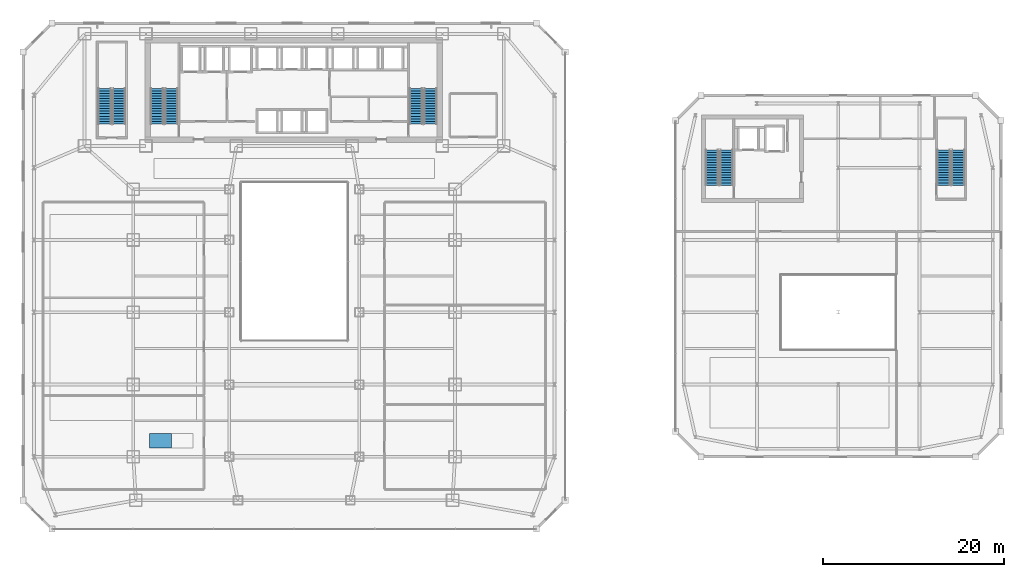
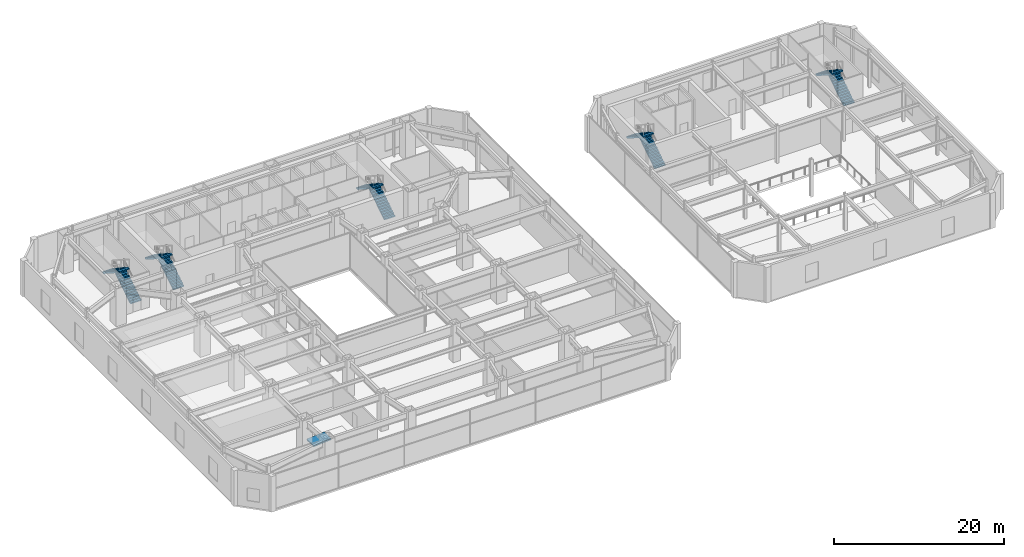
# One storey, part 44 of 52: 10 stair flights, 1 ramp flight, 6 elements without a shape of their own.
"""IFC4 building model written with IfcOpenShell, lengths in metres."""

import ifcopenshell
import ifcopenshell.guid

model = None  # the IFC model being written
_history = None  # IfcOwnerHistory: only IFC2X3 demands one
_inside = {}  # id of a spatial element -> (the spatial element, [elements in it])
_under = {}  # id of a project, library or spatial element -> (it, [spatial elements below it])
_declared = {}  # id of a project -> (the project, [libraries it declares])
_typed = {}  # id of a type object -> (the type object, [elements of that type])
_made_of = {}  # id of a material, layer set ... -> (it, [elements and type objects made of it])


def new_model(schema):
    """Start an empty IFC model of exactly this schema.

    Asked for "IFC4X3", IfcOpenShell would pick the latest addendum, in which some entities
    have other attributes; the version numbers below select the first issue.
    IFC2X3 requires an IfcOwnerHistory on every rooted entity: one is made here for all.
    """
    global model, _history
    if schema == "IFC4X3":
        model = ifcopenshell.file(schema_version=(4, 3, 0, 0))
    else:
        model = ifcopenshell.file(schema=schema)
    _inside.clear()
    _under.clear()
    _declared.clear()
    _typed.clear()
    _made_of.clear()
    _history = None
    if model.schema == "IFC2X3":
        org = make("IfcOrganization", Name="unknown")
        user = make(
            "IfcPersonAndOrganization",
            ThePerson=make("IfcPerson", FamilyName="unknown"),
            TheOrganization=org,
        )
        app = make(
            "IfcApplication",
            ApplicationDeveloper=org,
            Version="unknown",
            ApplicationFullName="unknown",
            ApplicationIdentifier="unknown",
        )
        _history = make(
            "IfcOwnerHistory",
            OwningUser=user,
            OwningApplication=app,
            ChangeAction="ADDED",
            CreationDate=0,
        )
    return model


def make(cls, **values):
    """One entity of the class cls with the attributes given. An attribute that is None is left unset."""
    return model.create_entity(
        cls, **{name: value for name, value in values.items() if value is not None}
    )


def rooted(cls, **values):
    """An entity with a GlobalId (a new one), such as an element, a storey or a relation."""
    return make(cls, GlobalId=ifcopenshell.guid.new(), OwnerHistory=_history, **values)


def si_unit(unit_type, name, prefix=None):
    """IfcSIUnit, for example si_unit("LENGTHUNIT", "METRE", prefix="MILLI")."""
    return make("IfcSIUnit", UnitType=unit_type, Prefix=prefix, Name=name)


def assignment(units):
    """IfcUnitAssignment: the units of a project."""
    return None if units is None else make("IfcUnitAssignment", Units=units)


def point(xyz):
    """IfcCartesianPoint."""
    return None if xyz is None else make("IfcCartesianPoint", Coordinates=xyz)


def direction(xyz):
    """IfcDirection."""
    return None if xyz is None else make("IfcDirection", DirectionRatios=xyz)


def frame(location, z_axis=None, x_axis=None):
    """IfcAxis2Placement3D, a coordinate frame: its origin and axes. An axis left out is left unset."""
    return make(
        "IfcAxis2Placement3D",
        Location=point(location),
        Axis=direction(z_axis),
        RefDirection=direction(x_axis),
    )


def origin():
    """The frame at (0, 0, 0) with its axes left unset."""
    return frame((0.0, 0.0, 0.0))


def place(relative_to, where):
    """IfcLocalPlacement: puts the frame where relative to a parent placement (None: the world)."""
    return make(
        "IfcLocalPlacement", PlacementRelTo=relative_to, RelativePlacement=where
    )


def context(
    kind, dimensions, precision=None, world=None, true_north=None, identifier=None
):
    """IfcGeometricRepresentationContext, for example the 3D "Model" context."""
    return make(
        "IfcGeometricRepresentationContext",
        ContextIdentifier=identifier,
        ContextType=kind,
        CoordinateSpaceDimension=dimensions,
        Precision=precision,
        WorldCoordinateSystem=world,
        TrueNorth=true_north,
    )


def subcontext(parent, identifier, kind, view, scale=None):
    """IfcGeometricRepresentationSubContext, for example "Body" below "Model"."""
    return make(
        "IfcGeometricRepresentationSubContext",
        ContextIdentifier=identifier,
        ContextType=kind,
        ParentContext=parent,
        TargetScale=scale,
        TargetView=view,
    )


def project(units=None, contexts=None):
    """IfcProject with its units and contexts."""
    return rooted(
        "IfcProject",
        Name="project",
        RepresentationContexts=contexts,
        UnitsInContext=assignment(units),
    )


def spatial(cls, under=None, at=None, **own):
    """A site, building, storey or space (cls), placed at a placement, below another one or the project."""
    s = rooted(cls, ObjectPlacement=at, **own)
    if under is not None:
        _under.setdefault(under.id(), (under, []))[1].append(s)
    return s


def polyline(points):
    """IfcPolyline through the points."""
    return make("IfcPolyline", Points=[point(p) for p in points])


def outline(outer, holes=None, kind="AREA"):
    """IfcArbitraryClosedProfileDef: a profile drawn as a closed curve; with holes, ...WithVoids."""
    if holes is None:
        return make("IfcArbitraryClosedProfileDef", ProfileType=kind, OuterCurve=outer)
    return make(
        "IfcArbitraryProfileDefWithVoids",
        ProfileType=kind,
        OuterCurve=outer,
        InnerCurves=holes,
    )


def extrude(swept, where, along, depth):
    """IfcExtrudedAreaSolid: the profile swept, set in the frame where, extruded along a direction by depth."""
    return make(
        "IfcExtrudedAreaSolid",
        SweptArea=swept,
        Position=where,
        ExtrudedDirection=direction(along),
        Depth=depth,
    )


def shape(context_of_items, identifier, shape_type, items):
    """IfcShapeRepresentation: the items that make up one representation, for example the "Body"."""
    return make(
        "IfcShapeRepresentation",
        ContextOfItems=context_of_items,
        RepresentationIdentifier=identifier,
        RepresentationType=shape_type,
        Items=items,
    )


def material(Name=None, Category=None):
    """IfcMaterial."""
    return make("IfcMaterial", Name=Name, Category=Category)


def layer(
    of_material, thickness, ventilated=None, Name=None, Category=None, Priority=None
):
    """IfcMaterialLayer: one layer of a wall or slab, of a material (None: an air gap)."""
    return make(
        "IfcMaterialLayer",
        Material=of_material,
        LayerThickness=thickness,
        IsVentilated=ventilated,
        Name=Name,
        Category=Category,
        Priority=Priority,
    )


def layer_set(layers, Name=None):
    """IfcMaterialLayerSet."""
    return make("IfcMaterialLayerSet", MaterialLayers=layers, LayerSetName=Name)


def made_of(thing, what):
    """Note that an element or type object is made of a material, layer set ...; save() writes the relation."""
    if what is not None:
        _made_of.setdefault(what.id(), (what, []))[1].append(thing)
    return thing


def type_object(cls, material=None, **own):
    """A type object (cls), such as IfcWallType, which elements share."""
    return made_of(rooted(cls, **own), material)


def element(
    cls,
    number,
    at=None,
    inside=None,
    cuts=None,
    type_object=None,
    material=None,
    context=None,
    identifier="Body",
    shape_type=None,
    held_by="IfcProductDefinitionShape",
    body=None,
    shapes=None,
    **own,
):
    """One element of the class cls, such as IfcWall. Its Tag is "e" and its number.

    at: its placement. inside: the storey or other place that contains it. cuts: it is an
    opening in that element (IfcRelVoidsElement). A single representation is given by context,
    identifier, shape_type and body (its items); several are given by shapes. held_by: the class
    of the entity that holds the representations. save() writes the other relations.
    """
    e = rooted(cls, Tag="e%d" % number, ObjectPlacement=at, **own)
    if body is not None:
        shapes = [shape(context, identifier, shape_type, body)]
    if shapes is not None:
        e.Representation = make(held_by, Representations=shapes)
    if inside is not None:
        _inside.setdefault(inside.id(), (inside, []))[1].append(e)
    if cuts is not None:
        rooted(
            "IfcRelVoidsElement", RelatingBuildingElement=cuts, RelatedOpeningElement=e
        )
    if type_object is not None:
        _typed.setdefault(type_object.id(), (type_object, []))[1].append(e)
    return made_of(e, material)


def aggregate(whole, parts):
    """IfcRelAggregates: a whole, such as a stair, and the parts it consists of."""
    return rooted("IfcRelAggregates", RelatingObject=whole, RelatedObjects=parts)


def save(model, path):
    """Write the relations noted so far, then the file.

    IfcRelAggregates (storeys below a building ...), IfcRelContainedInSpatialStructure (elements
    in a storey), IfcRelDefinesByType, IfcRelAssociatesMaterial and IfcRelDeclares: one each for
    every whole, place, type object, material and project.
    """
    for whole, parts in _under.values():
        aggregate(whole, parts)
    for where, things in _inside.values():
        rooted(
            "IfcRelContainedInSpatialStructure",
            RelatedElements=things,
            RelatingStructure=where,
        )
    for kind, things in _typed.values():
        rooted("IfcRelDefinesByType", RelatedObjects=things, RelatingType=kind)
    for what, things in _made_of.values():
        rooted("IfcRelAssociatesMaterial", RelatedObjects=things, RelatingMaterial=what)
    for by, libraries in _declared.values():
        rooted("IfcRelDeclares", RelatingContext=by, RelatedDefinitions=libraries)
    model.write(path)


model = new_model("IFC4")

# Units and contexts
model_context = context("Model", 3, precision=1e-05, world=origin(), true_north=direction((0.0, 1.0)))
body_context = subcontext(model_context, "Body", "Model", "MODEL_VIEW")
ifc_project = project(units=[si_unit("LENGTHUNIT", "METRE"), si_unit("AREAUNIT", "SQUARE_METRE"), si_unit("VOLUMEUNIT", "CUBIC_METRE"), si_unit("PLANEANGLEUNIT", "RADIAN"), si_unit("MASSUNIT", "GRAM", prefix="KILO")], contexts=[model_context])

# Site, building, storey
site_placement = place(None, origin())
site = spatial("IfcSite", under=ifc_project, at=site_placement, CompositionType="ELEMENT")
building_placement = place(site_placement, origin())
building = spatial("IfcBuilding", under=site, at=building_placement, Name="Saevonmaru Cultural Tower", CompositionType="ELEMENT")
storey_placement = place(building_placement, frame((0.0, 0.0, 16.800048828125)))
storey = spatial("IfcBuildingStorey", under=building, at=storey_placement, Name="L03", CompositionType="ELEMENT", Elevation=16.800048828125)

# Stair, stair flights
ifc_material_1 = material(Name="Concrete C40/50", Category="concrete")
stair_type = type_object("IfcStairType", Name="STR-DOGLEG-RC", PredefinedType="HALF_TURN_STAIR", material=ifc_material_1)
stair_1_placement = place(storey_placement, origin())
stair_1 = element("IfcStair", 1, at=stair_1_placement, inside=storey, type_object=stair_type, Name="L03 Protected exit stair LST-1", PredefinedType="HALF_TURN_STAIR")
ifc_material_2 = material(Name="Precast concrete C40/50", Category="concrete")
stair_flight_type = type_object("IfcStairFlightType", Name="STF-PRECAST-180", PredefinedType="STRAIGHT", material=ifc_material_2)
stair_flight_1_placement = place(storey_placement, frame((77.824951171875, 38.050048828125, 0.0), z_axis=(0.0, 0.0, 1.0), x_axis=(0.0, 1.0, 0.0)))
stair_flight_1 = element("IfcStairFlight", 2, at=stair_flight_1_placement, type_object=stair_flight_type, Name="LST-1-L03 flight 1", NumberOfRisers=15, NumberOfTreads=14, PredefinedType="STRAIGHT", RiserHeight=0.18, TreadLength=0.28, context=body_context, shape_type="SweptSolid", body=[
    extrude(outline(polyline([(0.0, 0.0), (0.0, 0.179931640625), (0.280029296875, 0.179931640625), (0.280029296875, 0.360107421875), (0.56005859375, 0.360107421875), (0.56005859375, 0.5400390625), (0.840087890625, 0.5400390625), (0.840087890625, 0.719970703125), (1.1201171875, 0.719970703125), (1.1201171875, 0.89990234375), (1.39990234375, 0.89990234375), (1.39990234375, 1.080078125), (1.679931640625, 1.080078125), (1.679931640625, 1.260009765625), (1.9599609375, 1.260009765625), (1.9599609375, 1.43994140625), (2.239990234375, 1.43994140625), (2.239990234375, 1.6201171875), (2.52001953125, 1.6201171875), (2.52001953125, 1.800048828125), (2.800048828125, 1.800048828125), (2.800048828125, 1.97998046875), (3.080078125, 1.97998046875), (3.080078125, 2.159912109375), (3.360107421875, 2.159912109375), (3.360107421875, 2.340087890625), (3.639892578125, 2.340087890625), (3.639892578125, 2.52001953125), (3.919921875, 2.52001953125), (3.919921875, 2.699951171875), (3.919921875, 2.341796875), (0.277099609375, 0.0), (0.0, 0.0)])), frame((0.0, 0.72509765625, 0.0), z_axis=(0.0, -1.0, 0.0), x_axis=(1.0, 0.0, 0.0)), (0.0, 0.0, 1.0), 1.449951171875),
])
stair_flight_2_placement = place(storey_placement, frame((76.22509765625, 41.969970703125, 2.699951171875), z_axis=(0.0, 0.0, 1.0), x_axis=(0.0, -1.0, 0.0)))
stair_flight_2 = element("IfcStairFlight", 3, at=stair_flight_2_placement, type_object=stair_flight_type, Name="LST-1-L03 flight 2", NumberOfRisers=15, NumberOfTreads=14, PredefinedType="STRAIGHT", RiserHeight=0.18, TreadLength=0.28, context=body_context, shape_type="SweptSolid", body=[
    extrude(outline(polyline([(0.0, 0.0), (0.0, 0.179931640625), (0.280029296875, 0.179931640625), (0.280029296875, 0.360107421875), (0.56005859375, 0.360107421875), (0.56005859375, 0.5400390625), (0.840087890625, 0.5400390625), (0.840087890625, 0.719970703125), (1.1201171875, 0.719970703125), (1.1201171875, 0.89990234375), (1.39990234375, 0.89990234375), (1.39990234375, 1.080078125), (1.679931640625, 1.080078125), (1.679931640625, 1.260009765625), (1.9599609375, 1.260009765625), (1.9599609375, 1.43994140625), (2.239990234375, 1.43994140625), (2.239990234375, 1.6201171875), (2.52001953125, 1.6201171875), (2.52001953125, 1.800048828125), (2.800048828125, 1.800048828125), (2.800048828125, 1.97998046875), (3.080078125, 1.97998046875), (3.080078125, 2.159912109375), (3.360107421875, 2.159912109375), (3.360107421875, 2.340087890625), (3.639892578125, 2.340087890625), (3.639892578125, 2.52001953125), (3.919921875, 2.52001953125), (3.919921875, 2.699951171875), (3.919921875, 2.341796875), (0.277099609375, 0.0), (0.0, 0.0)])), frame((0.0, 0.72509765625, 0.0), z_axis=(0.0, -1.0, 0.0), x_axis=(1.0, 0.0, 0.0)), (0.0, 0.0, 1.0), 1.449951171875),
])
aggregate(stair_1, [stair_flight_1, stair_flight_2])

stair_2_placement = place(storey_placement, origin())
stair_2 = element("IfcStair", 4, at=stair_2_placement, inside=storey, type_object=stair_type, Name="L03 Protected exit stair LST-2", PredefinedType="HALF_TURN_STAIR")
stair_flight_3_placement = place(storey_placement, frame((103.47509765625, 38.050048828125, 0.0), z_axis=(0.0, 0.0, 1.0), x_axis=(0.0, 1.0, 0.0)))
stair_flight_3 = element("IfcStairFlight", 5, at=stair_flight_3_placement, type_object=stair_flight_type, Name="LST-2-L03 flight 1", NumberOfRisers=15, NumberOfTreads=14, PredefinedType="STRAIGHT", RiserHeight=0.18, TreadLength=0.28, context=body_context, shape_type="SweptSolid", body=[
    extrude(outline(polyline([(0.0, 0.0), (0.0, 0.179931640625), (0.280029296875, 0.179931640625), (0.280029296875, 0.360107421875), (0.56005859375, 0.360107421875), (0.56005859375, 0.5400390625), (0.840087890625, 0.5400390625), (0.840087890625, 0.719970703125), (1.1201171875, 0.719970703125), (1.1201171875, 0.89990234375), (1.39990234375, 0.89990234375), (1.39990234375, 1.080078125), (1.679931640625, 1.080078125), (1.679931640625, 1.260009765625), (1.9599609375, 1.260009765625), (1.9599609375, 1.43994140625), (2.239990234375, 1.43994140625), (2.239990234375, 1.6201171875), (2.52001953125, 1.6201171875), (2.52001953125, 1.800048828125), (2.800048828125, 1.800048828125), (2.800048828125, 1.97998046875), (3.080078125, 1.97998046875), (3.080078125, 2.159912109375), (3.360107421875, 2.159912109375), (3.360107421875, 2.340087890625), (3.639892578125, 2.340087890625), (3.639892578125, 2.52001953125), (3.919921875, 2.52001953125), (3.919921875, 2.699951171875), (3.919921875, 2.341796875), (0.277099609375, 0.0), (0.0, 0.0)])), frame((0.0, 0.72509765625, 0.0), z_axis=(0.0, -1.0, 0.0), x_axis=(1.0, 0.0, 0.0)), (0.0, 0.0, 1.0), 1.449951171875),
])
stair_flight_4_placement = place(storey_placement, frame((101.875, 41.969970703125, 2.699951171875), z_axis=(0.0, 0.0, 1.0), x_axis=(0.0, -1.0, 0.0)))
stair_flight_4 = element("IfcStairFlight", 6, at=stair_flight_4_placement, type_object=stair_flight_type, Name="LST-2-L03 flight 2", NumberOfRisers=15, NumberOfTreads=14, PredefinedType="STRAIGHT", RiserHeight=0.18, TreadLength=0.28, context=body_context, shape_type="SweptSolid", body=[
    extrude(outline(polyline([(0.0, 0.0), (0.0, 0.179931640625), (0.280029296875, 0.179931640625), (0.280029296875, 0.360107421875), (0.56005859375, 0.360107421875), (0.56005859375, 0.5400390625), (0.840087890625, 0.5400390625), (0.840087890625, 0.719970703125), (1.1201171875, 0.719970703125), (1.1201171875, 0.89990234375), (1.39990234375, 0.89990234375), (1.39990234375, 1.080078125), (1.679931640625, 1.080078125), (1.679931640625, 1.260009765625), (1.9599609375, 1.260009765625), (1.9599609375, 1.43994140625), (2.239990234375, 1.43994140625), (2.239990234375, 1.6201171875), (2.52001953125, 1.6201171875), (2.52001953125, 1.800048828125), (2.800048828125, 1.800048828125), (2.800048828125, 1.97998046875), (3.080078125, 1.97998046875), (3.080078125, 2.159912109375), (3.360107421875, 2.159912109375), (3.360107421875, 2.340087890625), (3.639892578125, 2.340087890625), (3.639892578125, 2.52001953125), (3.919921875, 2.52001953125), (3.919921875, 2.699951171875), (3.919921875, 2.341796875), (0.277099609375, 0.0), (0.0, 0.0)])), frame((0.0, 0.72509765625, 0.0), z_axis=(0.0, -1.0, 0.0), x_axis=(1.0, 0.0, 0.0)), (0.0, 0.0, 1.0), 1.449951171875),
])
aggregate(stair_2, [stair_flight_3, stair_flight_4])

stair_3_placement = place(storey_placement, origin())
stair_3 = element("IfcStair", 7, at=stair_3_placement, inside=storey, type_object=stair_type, Name="L03 Protected exit stair ST-1", PredefinedType="HALF_TURN_STAIR")
stair_flight_5_placement = place(storey_placement, frame((16.425048828125, 44.85009765625, 0.0), z_axis=(0.0, 0.0, 1.0), x_axis=(0.0, 1.0, 0.0)))
stair_flight_5 = element("IfcStairFlight", 8, at=stair_flight_5_placement, type_object=stair_flight_type, Name="ST-1-L03 flight 1", NumberOfRisers=15, NumberOfTreads=14, PredefinedType="STRAIGHT", RiserHeight=0.18, TreadLength=0.28, context=body_context, shape_type="SweptSolid", body=[
    extrude(outline(polyline([(0.0, 0.0), (0.0, 0.179931640625), (0.280029296875, 0.179931640625), (0.280029296875, 0.360107421875), (0.56005859375, 0.360107421875), (0.56005859375, 0.5400390625), (0.840087890625, 0.5400390625), (0.840087890625, 0.719970703125), (1.1201171875, 0.719970703125), (1.1201171875, 0.89990234375), (1.39990234375, 0.89990234375), (1.39990234375, 1.080078125), (1.679931640625, 1.080078125), (1.679931640625, 1.260009765625), (1.9599609375, 1.260009765625), (1.9599609375, 1.43994140625), (2.239990234375, 1.43994140625), (2.239990234375, 1.6201171875), (2.52001953125, 1.6201171875), (2.52001953125, 1.800048828125), (2.800048828125, 1.800048828125), (2.800048828125, 1.97998046875), (3.080078125, 1.97998046875), (3.080078125, 2.159912109375), (3.360107421875, 2.159912109375), (3.360107421875, 2.340087890625), (3.639892578125, 2.340087890625), (3.639892578125, 2.52001953125), (3.919921875, 2.52001953125), (3.919921875, 2.699951171875), (3.919921875, 2.341796875), (0.277099609375, 0.0), (0.0, 0.0)])), frame((0.0, 0.72509765625, 0.0), z_axis=(0.0, -1.0, 0.0), x_axis=(1.0, 0.0, 0.0)), (0.0, 0.0, 1.0), 1.449951171875),
])
stair_flight_6_placement = place(storey_placement, frame((14.824951171875, 48.77001953125, 2.699951171875), z_axis=(0.0, 0.0, 1.0), x_axis=(0.0, -1.0, 0.0)))
stair_flight_6 = element("IfcStairFlight", 9, at=stair_flight_6_placement, type_object=stair_flight_type, Name="ST-1-L03 flight 2", NumberOfRisers=15, NumberOfTreads=14, PredefinedType="STRAIGHT", RiserHeight=0.18, TreadLength=0.28, context=body_context, shape_type="SweptSolid", body=[
    extrude(outline(polyline([(0.0, 0.0), (0.0, 0.179931640625), (0.280029296875, 0.179931640625), (0.280029296875, 0.360107421875), (0.56005859375, 0.360107421875), (0.56005859375, 0.5400390625), (0.840087890625, 0.5400390625), (0.840087890625, 0.719970703125), (1.1201171875, 0.719970703125), (1.1201171875, 0.89990234375), (1.39990234375, 0.89990234375), (1.39990234375, 1.080078125), (1.679931640625, 1.080078125), (1.679931640625, 1.260009765625), (1.9599609375, 1.260009765625), (1.9599609375, 1.43994140625), (2.239990234375, 1.43994140625), (2.239990234375, 1.6201171875), (2.52001953125, 1.6201171875), (2.52001953125, 1.800048828125), (2.800048828125, 1.800048828125), (2.800048828125, 1.97998046875), (3.080078125, 1.97998046875), (3.080078125, 2.159912109375), (3.360107421875, 2.159912109375), (3.360107421875, 2.340087890625), (3.639892578125, 2.340087890625), (3.639892578125, 2.52001953125), (3.919921875, 2.52001953125), (3.919921875, 2.699951171875), (3.919921875, 2.341796875), (0.277099609375, 0.0), (0.0, 0.0)])), frame((0.0, 0.72509765625, 0.0), z_axis=(0.0, -1.0, 0.0), x_axis=(1.0, 0.0, 0.0)), (0.0, 0.0, 1.0), 1.449951171875),
])
aggregate(stair_3, [stair_flight_5, stair_flight_6])

stair_4_placement = place(storey_placement, origin())
stair_4 = element("IfcStair", 10, at=stair_4_placement, inside=storey, type_object=stair_type, Name="L03 Protected exit stair ST-2", PredefinedType="HALF_TURN_STAIR")
stair_flight_7_placement = place(storey_placement, frame((45.074951171875, 44.85009765625, 0.0), z_axis=(0.0, 0.0, 1.0), x_axis=(0.0, 1.0, 0.0)))
stair_flight_7 = element("IfcStairFlight", 11, at=stair_flight_7_placement, type_object=stair_flight_type, Name="ST-2-L03 flight 1", NumberOfRisers=15, NumberOfTreads=14, PredefinedType="STRAIGHT", RiserHeight=0.18, TreadLength=0.28, context=body_context, shape_type="SweptSolid", body=[
    extrude(outline(polyline([(0.0, 0.0), (0.0, 0.179931640625), (0.280029296875, 0.179931640625), (0.280029296875, 0.360107421875), (0.56005859375, 0.360107421875), (0.56005859375, 0.5400390625), (0.840087890625, 0.5400390625), (0.840087890625, 0.719970703125), (1.1201171875, 0.719970703125), (1.1201171875, 0.89990234375), (1.39990234375, 0.89990234375), (1.39990234375, 1.080078125), (1.679931640625, 1.080078125), (1.679931640625, 1.260009765625), (1.9599609375, 1.260009765625), (1.9599609375, 1.43994140625), (2.239990234375, 1.43994140625), (2.239990234375, 1.6201171875), (2.52001953125, 1.6201171875), (2.52001953125, 1.800048828125), (2.800048828125, 1.800048828125), (2.800048828125, 1.97998046875), (3.080078125, 1.97998046875), (3.080078125, 2.159912109375), (3.360107421875, 2.159912109375), (3.360107421875, 2.340087890625), (3.639892578125, 2.340087890625), (3.639892578125, 2.52001953125), (3.919921875, 2.52001953125), (3.919921875, 2.699951171875), (3.919921875, 2.341796875), (0.277099609375, 0.0), (0.0, 0.0)])), frame((0.0, 0.72509765625, 0.0), z_axis=(0.0, -1.0, 0.0), x_axis=(1.0, 0.0, 0.0)), (0.0, 0.0, 1.0), 1.449951171875),
])
stair_flight_8_placement = place(storey_placement, frame((43.47509765625, 48.77001953125, 2.699951171875), z_axis=(0.0, 0.0, 1.0), x_axis=(0.0, -1.0, 0.0)))
stair_flight_8 = element("IfcStairFlight", 12, at=stair_flight_8_placement, type_object=stair_flight_type, Name="ST-2-L03 flight 2", NumberOfRisers=15, NumberOfTreads=14, PredefinedType="STRAIGHT", RiserHeight=0.18, TreadLength=0.28, context=body_context, shape_type="SweptSolid", body=[
    extrude(outline(polyline([(0.0, 0.0), (0.0, 0.179931640625), (0.280029296875, 0.179931640625), (0.280029296875, 0.360107421875), (0.56005859375, 0.360107421875), (0.56005859375, 0.5400390625), (0.840087890625, 0.5400390625), (0.840087890625, 0.719970703125), (1.1201171875, 0.719970703125), (1.1201171875, 0.89990234375), (1.39990234375, 0.89990234375), (1.39990234375, 1.080078125), (1.679931640625, 1.080078125), (1.679931640625, 1.260009765625), (1.9599609375, 1.260009765625), (1.9599609375, 1.43994140625), (2.239990234375, 1.43994140625), (2.239990234375, 1.6201171875), (2.52001953125, 1.6201171875), (2.52001953125, 1.800048828125), (2.800048828125, 1.800048828125), (2.800048828125, 1.97998046875), (3.080078125, 1.97998046875), (3.080078125, 2.159912109375), (3.360107421875, 2.159912109375), (3.360107421875, 2.340087890625), (3.639892578125, 2.340087890625), (3.639892578125, 2.52001953125), (3.919921875, 2.52001953125), (3.919921875, 2.699951171875), (3.919921875, 2.341796875), (0.277099609375, 0.0), (0.0, 0.0)])), frame((0.0, 0.72509765625, 0.0), z_axis=(0.0, -1.0, 0.0), x_axis=(1.0, 0.0, 0.0)), (0.0, 0.0, 1.0), 1.449951171875),
])
aggregate(stair_4, [stair_flight_7, stair_flight_8])

stair_5_placement = place(storey_placement, origin())
stair_5 = element("IfcStair", 13, at=stair_5_placement, inside=storey, type_object=stair_type, Name="L03 Protected exit stair ST-3", PredefinedType="HALF_TURN_STAIR")
stair_flight_9_placement = place(storey_placement, frame((10.625, 44.85009765625, 0.0), z_axis=(0.0, 0.0, 1.0), x_axis=(0.0, 1.0, 0.0)))
stair_flight_9 = element("IfcStairFlight", 14, at=stair_flight_9_placement, type_object=stair_flight_type, Name="ST-3-L03 flight 1", NumberOfRisers=15, NumberOfTreads=14, PredefinedType="STRAIGHT", RiserHeight=0.18, TreadLength=0.28, context=body_context, shape_type="SweptSolid", body=[
    extrude(outline(polyline([(0.0, 0.0), (0.0, 0.179931640625), (0.280029296875, 0.179931640625), (0.280029296875, 0.360107421875), (0.56005859375, 0.360107421875), (0.56005859375, 0.5400390625), (0.840087890625, 0.5400390625), (0.840087890625, 0.719970703125), (1.1201171875, 0.719970703125), (1.1201171875, 0.89990234375), (1.39990234375, 0.89990234375), (1.39990234375, 1.080078125), (1.679931640625, 1.080078125), (1.679931640625, 1.260009765625), (1.9599609375, 1.260009765625), (1.9599609375, 1.43994140625), (2.239990234375, 1.43994140625), (2.239990234375, 1.6201171875), (2.52001953125, 1.6201171875), (2.52001953125, 1.800048828125), (2.800048828125, 1.800048828125), (2.800048828125, 1.97998046875), (3.080078125, 1.97998046875), (3.080078125, 2.159912109375), (3.360107421875, 2.159912109375), (3.360107421875, 2.340087890625), (3.639892578125, 2.340087890625), (3.639892578125, 2.52001953125), (3.919921875, 2.52001953125), (3.919921875, 2.699951171875), (3.919921875, 2.341796875), (0.277099609375, 0.0), (0.0, 0.0)])), frame((0.0, 0.72509765625, 0.0), z_axis=(0.0, -1.0, 0.0), x_axis=(1.0, 0.0, 0.0)), (0.0, 0.0, 1.0), 1.449951171875),
])
stair_flight_10_placement = place(storey_placement, frame((9.02490234375, 48.77001953125, 2.699951171875), z_axis=(0.0, 0.0, 1.0), x_axis=(0.0, -1.0, 0.0)))
stair_flight_10 = element("IfcStairFlight", 15, at=stair_flight_10_placement, type_object=stair_flight_type, Name="ST-3-L03 flight 2", NumberOfRisers=15, NumberOfTreads=14, PredefinedType="STRAIGHT", RiserHeight=0.18, TreadLength=0.28, context=body_context, shape_type="SweptSolid", body=[
    extrude(outline(polyline([(0.0, 0.0), (0.0, 0.179931640625), (0.280029296875, 0.179931640625), (0.280029296875, 0.360107421875), (0.56005859375, 0.360107421875), (0.56005859375, 0.5400390625), (0.840087890625, 0.5400390625), (0.840087890625, 0.719970703125), (1.1201171875, 0.719970703125), (1.1201171875, 0.89990234375), (1.39990234375, 0.89990234375), (1.39990234375, 1.080078125), (1.679931640625, 1.080078125), (1.679931640625, 1.260009765625), (1.9599609375, 1.260009765625), (1.9599609375, 1.43994140625), (2.239990234375, 1.43994140625), (2.239990234375, 1.6201171875), (2.52001953125, 1.6201171875), (2.52001953125, 1.800048828125), (2.800048828125, 1.800048828125), (2.800048828125, 1.97998046875), (3.080078125, 1.97998046875), (3.080078125, 2.159912109375), (3.360107421875, 2.159912109375), (3.360107421875, 2.340087890625), (3.639892578125, 2.340087890625), (3.639892578125, 2.52001953125), (3.919921875, 2.52001953125), (3.919921875, 2.699951171875), (3.919921875, 2.341796875), (0.277099609375, 0.0), (0.0, 0.0)])), frame((0.0, 0.72509765625, 0.0), z_axis=(0.0, -1.0, 0.0), x_axis=(1.0, 0.0, 0.0)), (0.0, 0.0, 1.0), 1.449951171875),
])
aggregate(stair_5, [stair_flight_9, stair_flight_10])

# Ramp, ramp flight
ramp_type = type_object("IfcRampType", Name="RMP-PED-1600", PredefinedType="STRAIGHT_RUN_RAMP", material=ifc_material_1)
ramp_placement = place(storey_placement, origin())
ramp = element("IfcRamp", 16, at=ramp_placement, inside=storey, type_object=ramp_type, Name="L03 Barrier-Free Gallery Dais Ramp PR-3", PredefinedType="STRAIGHT_RUN_RAMP")
ifc_layer = layer(ifc_material_1, 0.199951171875, Name="Concrete C40/50")
ifc_layer_set = layer_set([ifc_layer], Name="Concrete C40/50")
ramp_flight_type = type_object("IfcRampFlightType", Name="RFL-PED-200", PredefinedType="STRAIGHT", material=ifc_layer_set)
ramp_flight_placement = place(storey_placement, frame((14.0, 9.0, 0.0), z_axis=(-0.083028700011, 0.0, 0.996547156423), x_axis=(0.996547156423, 0.0, 0.083028700011)))
ramp_flight = element("IfcRampFlight", 17, at=ramp_flight_placement, type_object=ramp_flight_type, Name="L03 Barrier-Free Gallery Dais Ramp Flight PR-3", PredefinedType="STRAIGHT", context=body_context, shape_type="SweptSolid", body=[
    extrude(outline(polyline([(0.0, 0.0), (2.408217542223071, 0.0), (2.408217542223071, 1.60009765625), (0.0, 1.60009765625), (0.0, 0.0)])), origin(), (0.0, 0.0, -1.0), 0.199951171875),
])
aggregate(ramp, [ramp_flight])

save(model, "model.ifc")
